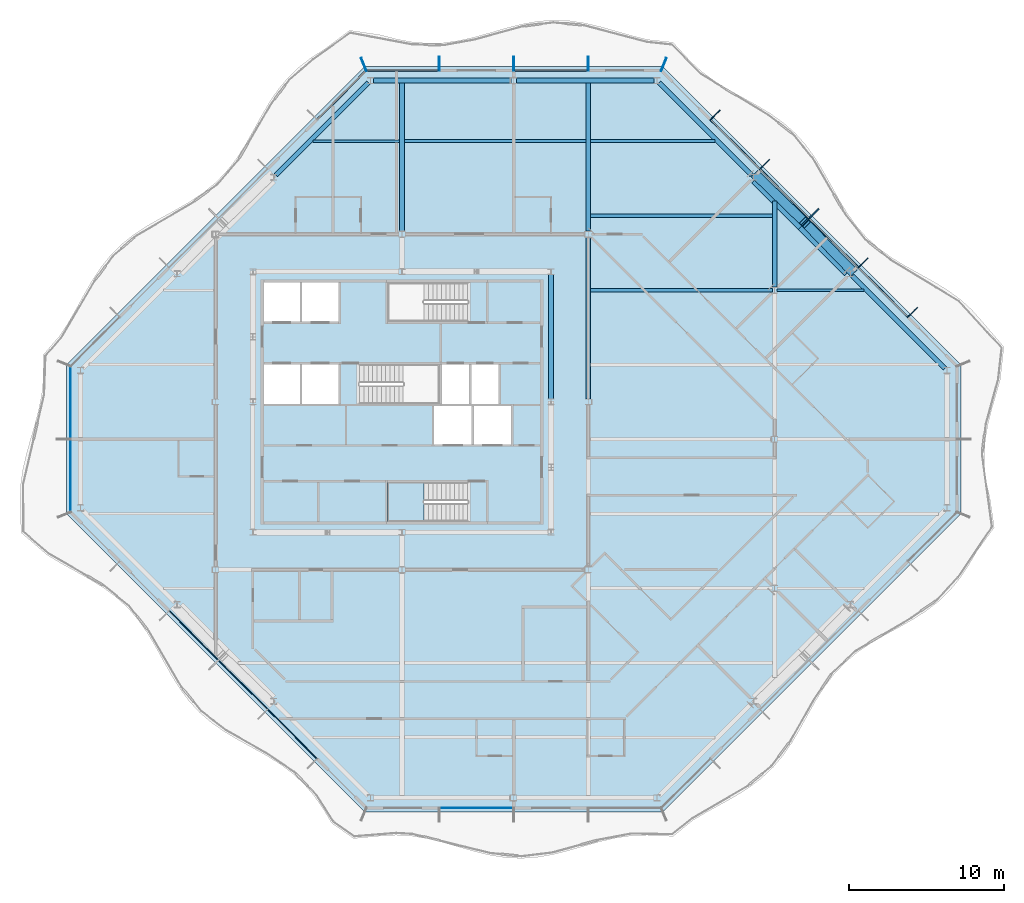
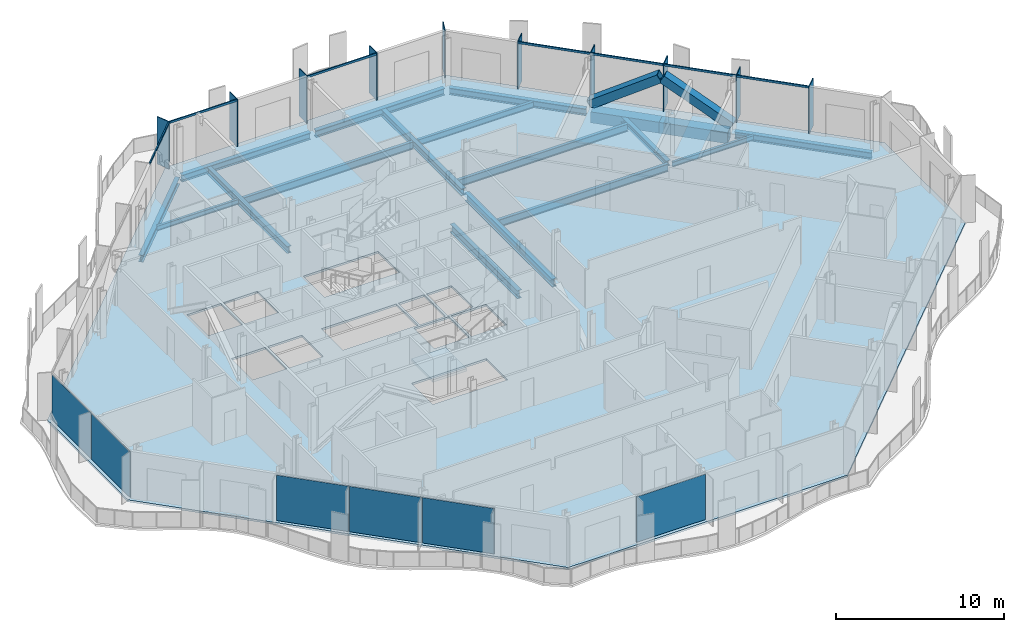
# One storey, part 5 of 17: 19 members, 18 beams, 6 plates, 2 slabs, 7 elements without a shape of their own.
"""IFC4 building model written with IfcOpenShell, lengths in metres."""

from ifc_helpers import new_model, si_unit, direction, frame, origin, origin_2d, place, context, subcontext, project, spatial, polyline, rectangle, hollow_rectangle, i_section, outline, extrude, material, layer, layer_set, material_profile, profile_set, type_object, element, aggregate, save


model = new_model("IFC4")

# Units and contexts
model_context = context("Model", 3, precision=1e-05, world=origin(), true_north=direction((0.0, 1.0)))
body_context = subcontext(model_context, "Body", "Model", "MODEL_VIEW")
ifc_project = project(units=[si_unit("LENGTHUNIT", "METRE"), si_unit("AREAUNIT", "SQUARE_METRE"), si_unit("VOLUMEUNIT", "CUBIC_METRE"), si_unit("PLANEANGLEUNIT", "RADIAN"), si_unit("MASSUNIT", "GRAM", prefix="KILO")], contexts=[model_context])

# Site, building, storey
site_placement = place(None, origin())
site = spatial("IfcSite", under=ifc_project, at=site_placement, CompositionType="ELEMENT")
building_placement = place(site_placement, origin())
building = spatial("IfcBuilding", under=site, at=building_placement, Name="Cairn Pilgrim Tower", CompositionType="ELEMENT")
storey_placement = place(building_placement, frame((0.0, 0.0, 239.39990234375)))
storey = spatial("IfcBuildingStorey", under=building, at=storey_placement, Name="L61", CompositionType="ELEMENT", Elevation=239.39990234375)

# Members
ifc_material_1 = material(Name="Structural steel S460M", Category="steel")
ifc_material_profile_1 = material_profile(ifc_material_1, hollow_rectangle(XDim=0.60009765625, YDim=0.60009765625, WallThickness=0.034912109375, at=origin_2d()), Name="BOX 600x600x35")
ifc_profile_set_1 = profile_set([ifc_material_profile_1], Name="Structural steel S460M")
member_type_1 = type_object("IfcMemberType", Name="BOX 600x600x35 BRACE", PredefinedType="BRACE", material=ifc_profile_set_1)
for number, where, z_axis, x_axis, name in (
    (1, (36.194580078125, 10.813232421875, 0.150146484375), (-0.59315674176, 0.611821665796, 0.523296597512), (-0.717973624454, -0.696070308653, 0.0), "XB-NE2-NE3-1"),
    (2, (30.01318359375, 16.99462890625, 0.150146484375), (0.611821665796, -0.59315674176, 0.523296597512), (0.696070308653, 0.717973624454, 0.0), "XB-NE2-NE3-2"),
):
    element("IfcMember", number, at=place(storey_placement, frame(where, z_axis=z_axis, x_axis=x_axis)), inside=storey, type_object=member_type_1, Name=name, PredefinedType="BRACE", context=body_context, shape_type="SweptSolid", body=[
        extrude(hollow_rectangle(XDim=0.60009765625, YDim=0.60009765625, WallThickness=0.034912109375, at=origin_2d()), origin(), (0.0, 0.0, 1.0), 5.035888671875),
    ])

# Beams
ifc_material_2 = material(Name="Structural steel S355J2", Category="steel")
ifc_material_profile_2 = material_profile(ifc_material_2, hollow_rectangle(XDim=0.699951171875, YDim=0.800048828125, WallThickness=0.0400390625, at=origin_2d()), Name="BOX 700x800x40")
ifc_profile_set_2 = profile_set([ifc_material_profile_2], Name="Structural steel S355J2")
beam_type_1 = type_object("IfcBeamType", Name="BOX 700x800x40 RING GIRDER", PredefinedType="SPANDREL", material=ifc_profile_set_2)
for number, where, z_axis, x_axis, name in (
    (3, (35.947265625, 10.780029296875, -0.5498046875), (-0.707106781187, 0.707106781187, 0.0), (-0.707106781187, -0.707106781187, 0.0), "RG3-NE2-NE3-1"),
    (4, (32.963623046875, 13.763671875, -0.5498046875), (-0.707106781187, 0.707106781187, 0.0), (-0.707106781187, -0.707106781187, 0.0), "RG3-NE2-NE3-2"),
):
    element("IfcBeam", number, at=place(storey_placement, frame(where, z_axis=z_axis, x_axis=x_axis)), inside=storey, type_object=beam_type_1, Name=name, PredefinedType="SPANDREL", context=body_context, shape_type="SweptSolid", body=[
        extrude(hollow_rectangle(XDim=0.699951171875, YDim=0.800048828125, WallThickness=0.0400390625, at=origin_2d()), origin(), (0.0, 0.0, 1.0), 4.219482421875),
    ])

# Curtain wall, members
ifc_material_3 = material(Name="Aluminium alloy 6063-T6 bronze anodised with Bronze tinted laminated low-E glass 8+16+8.8", Category="aluminium")
curtain_wall_type_1 = type_object("IfcCurtainWallType", Name="CHAMFER CORNER CURTAIN WALL", PredefinedType="NOTDEFINED", material=ifc_material_3)
curtain_wall_1_placement = place(storey_placement, origin())
curtain_wall_1 = element("IfcCurtainWall", 5, at=curtain_wall_1_placement, inside=storey, type_object=curtain_wall_type_1, Name="Chamfer Corner Curtain Wall NE", PredefinedType="NOTDEFINED")
ifc_material_4 = material(Name="Aluminium alloy 6063-T6 bronze anodised", Category="aluminium")
ifc_material_profile_3 = material_profile(ifc_material_4, rectangle(XDim=0.89990234375, YDim=0.06005859375, at=origin_2d()), Name="FIN MULLION 60x900 BRONZE")
ifc_profile_set_3 = profile_set([ifc_material_profile_3], Name="Aluminium alloy 6063-T6 bronze anodised")
member_type_2 = type_object("IfcMemberType", Name="FIN MULLION 60x900 BRONZE", PredefinedType="MULLION", material=ifc_profile_set_3)
member_1_placement = place(storey_placement, frame((40.0712890625, 8.1689453125, 0.0), z_axis=(0.0, 0.0, 1.0), x_axis=(0.707106781187, 0.707106781187, 0.0)))
member_1 = element("IfcMember", 6, at=member_1_placement, type_object=member_type_2, Name="Fin mullion NE2", PredefinedType="MULLION", context=body_context, shape_type="SweptSolid", body=[
    extrude(rectangle(XDim=0.89990234375, YDim=0.06005859375, at=origin_2d()), origin(), (0.0, 0.0, 1.0), 3.4501953125),
])
member_2_placement = place(storey_placement, frame((36.895751953125, 11.3447265625, 0.0), z_axis=(0.0, 0.0, 1.0), x_axis=(0.707106781187, 0.707106781187, 0.0)))
member_2 = element("IfcMember", 7, at=member_2_placement, type_object=member_type_2, Name="Fin mullion NE3", PredefinedType="MULLION", context=body_context, shape_type="SweptSolid", body=[
    extrude(rectangle(XDim=0.89990234375, YDim=0.06005859375, at=origin_2d()), origin(), (0.0, 0.0, 1.0), 3.4501953125),
])
member_3_placement = place(storey_placement, frame((33.72021484375, 14.520263671875, 0.0), z_axis=(0.0, 0.0, 1.0), x_axis=(0.707106781187, 0.707106781187, 0.0)))
member_3 = element("IfcMember", 8, at=member_3_placement, type_object=member_type_2, Name="Fin mullion NE4", PredefinedType="MULLION", context=body_context, shape_type="SweptSolid", body=[
    extrude(rectangle(XDim=0.89990234375, YDim=0.06005859375, at=origin_2d()), origin(), (0.0, 0.0, 1.0), 3.4501953125),
])
member_4_placement = place(storey_placement, frame((30.544677734375, 17.69580078125, 0.0), z_axis=(0.0, 0.0, 1.0), x_axis=(0.707106781187, 0.707106781187, 0.0)))
member_4 = element("IfcMember", 9, at=member_4_placement, type_object=member_type_2, Name="Fin mullion NE5", PredefinedType="MULLION", context=body_context, shape_type="SweptSolid", body=[
    extrude(rectangle(XDim=0.89990234375, YDim=0.06005859375, at=origin_2d()), origin(), (0.0, 0.0, 1.0), 3.4501953125),
])
member_5_placement = place(storey_placement, frame((27.369140625, 20.871337890625, 0.0), z_axis=(0.0, 0.0, 1.0), x_axis=(0.707106781187, 0.707106781187, 0.0)))
member_5 = element("IfcMember", 10, at=member_5_placement, type_object=member_type_2, Name="Fin mullion NE6", PredefinedType="MULLION", context=body_context, shape_type="SweptSolid", body=[
    extrude(rectangle(XDim=0.89990234375, YDim=0.06005859375, at=origin_2d()), origin(), (0.0, 0.0, 1.0), 3.4501953125),
])

curtain_wall_type_2 = type_object("IfcCurtainWallType", Name="TOWER STICK CURTAIN WALL NS", PredefinedType="NOTDEFINED", material=ifc_material_3)
curtain_wall_2_placement = place(storey_placement, origin())
curtain_wall_2 = element("IfcCurtainWall", 11, at=curtain_wall_2_placement, inside=storey, type_object=curtain_wall_type_2, Name="Tower Stick Curtain Wall Ns N", PredefinedType="NOTDEFINED")
member_6_placement = place(storey_placement, frame((24.05712890625, 24.137939453125, 0.0), z_axis=(0.0, 0.0, 1.0), x_axis=(0.382683432365, 0.923879532511, 0.0)))
member_6 = element("IfcMember", 12, at=member_6_placement, type_object=member_type_2, Name="Fin mullion N1", PredefinedType="MULLION", context=body_context, shape_type="SweptSolid", body=[
    extrude(rectangle(XDim=0.89990234375, YDim=0.06005859375, at=origin_2d()), origin(), (0.0, 0.0, 1.0), 3.4501953125),
])
member_7_placement = place(storey_placement, frame((19.199951171875, 24.169921875, 0.0), z_axis=(0.0, 0.0, 1.0), x_axis=(0.0, 1.0, 0.0)))
member_7 = element("IfcMember", 13, at=member_7_placement, type_object=member_type_2, Name="Fin mullion N2", PredefinedType="MULLION", context=body_context, shape_type="SweptSolid", body=[
    extrude(rectangle(XDim=0.89990234375, YDim=0.06005859375, at=origin_2d()), origin(), (0.0, 0.0, 1.0), 3.4501953125),
])
member_8_placement = place(storey_placement, frame((14.39990234375, 24.169921875, 0.0), z_axis=(0.0, 0.0, 1.0), x_axis=(0.0, 1.0, 0.0)))
member_8 = element("IfcMember", 14, at=member_8_placement, type_object=member_type_2, Name="Fin mullion N3", PredefinedType="MULLION", context=body_context, shape_type="SweptSolid", body=[
    extrude(rectangle(XDim=0.89990234375, YDim=0.06005859375, at=origin_2d()), origin(), (0.0, 0.0, 1.0), 3.4501953125),
])
member_9_placement = place(storey_placement, frame((9.60009765625, 24.169921875, 0.0), z_axis=(0.0, 0.0, 1.0), x_axis=(0.0, 1.0, 0.0)))
member_9 = element("IfcMember", 15, at=member_9_placement, type_object=member_type_2, Name="Fin mullion N4", PredefinedType="MULLION", context=body_context, shape_type="SweptSolid", body=[
    extrude(rectangle(XDim=0.89990234375, YDim=0.06005859375, at=origin_2d()), origin(), (0.0, 0.0, 1.0), 3.4501953125),
])

# Curtain wall, member
curtain_wall_3_placement = place(storey_placement, origin())
curtain_wall_3 = element("IfcCurtainWall", 16, at=curtain_wall_3_placement, inside=storey, type_object=curtain_wall_type_1, Name="Chamfer Corner Curtain Wall NW", PredefinedType="NOTDEFINED")
member_10_placement = place(storey_placement, frame((4.742919921875, 24.137939453125, 0.0), z_axis=(0.0, 0.0, 1.0), x_axis=(-0.382683432365, 0.923879532511, 0.0)))
member_10 = element("IfcMember", 17, at=member_10_placement, type_object=member_type_2, Name="Fin mullion NW1", PredefinedType="MULLION", context=body_context, shape_type="SweptSolid", body=[
    extrude(rectangle(XDim=0.89990234375, YDim=0.06005859375, at=origin_2d()), origin(), (0.0, 0.0, 1.0), 3.4501953125),
])

# Beams
ifc_material_profile_4 = material_profile(ifc_material_2, i_section(OverallWidth=0.300048828125, OverallDepth=0.39990234375, WebThickness=0.013427734375, FlangeThickness=0.02392578125, FilletRadius=0.027099609375, at=origin_2d()), Name="HEB 400")
ifc_profile_set_4 = profile_set([ifc_material_profile_4], Name="Structural steel S355J2")
beam_type_2 = type_object("IfcBeamType", Name="HEB 400 GIRDER", PredefinedType="BEAM", material=ifc_profile_set_4)
beam_1_placement = place(storey_placement, frame((31.199951171875, 9.799560546875, -0.349853515625), z_axis=(0.0, 1.0, 0.0), x_axis=(-1.0, 0.0, 0.0)))
element("IfcBeam", 18, at=beam_1_placement, inside=storey, type_object=beam_type_2, Name="PG5-4", PredefinedType="BEAM", context=body_context, shape_type="SweptSolid", body=[
    extrude(i_section(OverallWidth=0.300048828125, OverallDepth=0.39990234375, WebThickness=0.013427734375, FlangeThickness=0.02392578125, FilletRadius=0.027099609375, at=origin_2d()), origin(), (0.0, 0.0, 1.0), 5.545654296875),
])
ifc_material_profile_5 = material_profile(ifc_material_2, i_section(OverallWidth=0.300048828125, OverallDepth=0.5, WebThickness=0.014404296875, FlangeThickness=0.028076171875, FilletRadius=0.027099609375, at=origin_2d()), Name="HEB 500")
ifc_profile_set_5 = profile_set([ifc_material_profile_5], Name="Structural steel S355J2")
beam_type_3 = type_object("IfcBeamType", Name="HEB 500 GIRDER", PredefinedType="BEAM", material=ifc_profile_set_5)
for number, where, z_axis, x_axis, name in (
    (19, (7.199951171875, 13.39697265625, -0.39990234375), (0.0, 1.0, 0.0), (-1.0, 0.0, 0.0), "PG3-2"),
    (20, (19.199951171875, 13.39697265625, -0.39990234375), (0.0, 1.0, 0.0), (-1.0, 0.0, 0.0), "PG4-4"),
):
    element("IfcBeam", number, at=place(storey_placement, frame(where, z_axis=z_axis, x_axis=x_axis)), inside=storey, type_object=beam_type_3, Name=name, PredefinedType="BEAM", context=body_context, shape_type="SweptSolid", body=[
        extrude(i_section(OverallWidth=0.300048828125, OverallDepth=0.5, WebThickness=0.014404296875, FlangeThickness=0.028076171875, FilletRadius=0.027099609375, at=origin_2d()), origin(), (0.0, 0.0, 1.0), 9.5830078125),
    ])
ifc_material_profile_6 = material_profile(ifc_material_2, i_section(OverallWidth=0.300048828125, OverallDepth=0.5, WebThickness=0.014404296875, FlangeThickness=0.028076171875, FilletRadius=0.027099609375, at=origin_2d()), Name="HEB 500")
ifc_profile_set_6 = profile_set([ifc_material_profile_6], Name="Structural steel S355J2")
beam_type_4 = type_object("IfcBeamType", Name="HEB 500 RING GIRDER", PredefinedType="SPANDREL", material=ifc_profile_set_6)
for number, where, z_axis, x_axis, name in (
    (21, (42.17138671875, 4.555908203125, -0.39990234375), (-0.707106781187, 0.707106781187, 0.0), (-0.707106781187, -0.707106781187, 0.0), "RG3-NE1-NE2"),
    (22, (29.722900390625, 17.00439453125, -0.39990234375), (-0.707106781187, 0.707106781187, 0.0), (-0.707106781187, -0.707106781187, 0.0), "RG3-NE3-N1"),
):
    element("IfcBeam", number, at=place(storey_placement, frame(where, z_axis=z_axis, x_axis=x_axis)), inside=storey, type_object=beam_type_4, Name=name, PredefinedType="SPANDREL", context=body_context, shape_type="SweptSolid", body=[
        extrude(i_section(OverallWidth=0.300048828125, OverallDepth=0.5, WebThickness=0.014404296875, FlangeThickness=0.028076171875, FilletRadius=0.027099609375, at=origin_2d()), origin(), (0.0, 0.0, 1.0), 8.438720703125),
    ])
beam_2_placement = place(storey_placement, frame((23.4453125, 23.10009765625, -0.39990234375), z_axis=(-1.0, 0.0, 0.0), x_axis=(0.0, -1.0, 0.0)))
element("IfcBeam", 23, at=beam_2_placement, inside=storey, type_object=beam_type_4, Name="RG3-N1-N2", PredefinedType="SPANDREL", context=body_context, shape_type="SweptSolid", body=[
    extrude(i_section(OverallWidth=0.300048828125, OverallDepth=0.5, WebThickness=0.014404296875, FlangeThickness=0.028076171875, FilletRadius=0.027099609375, at=origin_2d()), origin(), (0.0, 0.0, 1.0), 8.863525390625),
])
beam_3_placement = place(storey_placement, frame((14.21826171875, 23.10009765625, -0.39990234375), z_axis=(-1.0, 0.0, 0.0), x_axis=(0.0, -1.0, 0.0)))
element("IfcBeam", 24, at=beam_3_placement, inside=storey, type_object=beam_type_4, Name="RG3-N2-NW1", PredefinedType="SPANDREL", context=body_context, shape_type="SweptSolid", body=[
    extrude(i_section(OverallWidth=0.300048828125, OverallDepth=0.5, WebThickness=0.014404296875, FlangeThickness=0.028076171875, FilletRadius=0.027099609375, at=origin_2d()), origin(), (0.0, 0.0, 1.0), 8.86376953125),
])
beam_4_placement = place(storey_placement, frame((5.044189453125, 22.971435546875, -0.39990234375), z_axis=(-0.707106781187, -0.707106781187, 0.0), x_axis=(0.707106781187, -0.707106781187, 0.0)))
element("IfcBeam", 25, at=beam_4_placement, inside=storey, type_object=beam_type_4, Name="RG3-NW1-NW2", PredefinedType="SPANDREL", context=body_context, shape_type="SweptSolid", body=[
    extrude(i_section(OverallWidth=0.300048828125, OverallDepth=0.5, WebThickness=0.014404296875, FlangeThickness=0.028076171875, FilletRadius=0.027099609375, at=origin_2d()), origin(), (0.0, 0.0, 1.0), 8.438720703125),
])
ifc_material_profile_7 = material_profile(ifc_material_2, i_section(OverallWidth=0.300048828125, OverallDepth=0.60009765625, WebThickness=0.015380859375, FlangeThickness=0.030029296875, FilletRadius=0.027099609375, at=origin_2d()), Name="HEB 600")
ifc_profile_set_7 = profile_set([ifc_material_profile_7], Name="Structural steel S355J2")
beam_type_5 = type_object("IfcBeamType", Name="HEB 600 CORE BEAM", PredefinedType="BEAM", material=ifc_profile_set_7)
beam_5_placement = place(storey_placement, frame((16.800048828125, 2.5791015625, -0.449951171875), z_axis=(0.0, 1.0, 0.0), x_axis=(-1.0, 0.0, 0.0)))
element("IfcBeam", 26, at=beam_5_placement, inside=storey, type_object=beam_type_5, Name="CB-4", PredefinedType="BEAM", context=body_context, shape_type="SweptSolid", body=[
    extrude(i_section(OverallWidth=0.300048828125, OverallDepth=0.60009765625, WebThickness=0.015380859375, FlangeThickness=0.030029296875, FilletRadius=0.027099609375, at=origin_2d()), origin(), (0.0, 0.0, 1.0), 8.041748046875),
])
ifc_material_profile_8 = material_profile(ifc_material_2, i_section(OverallWidth=0.300048828125, OverallDepth=0.60009765625, WebThickness=0.015380859375, FlangeThickness=0.030029296875, FilletRadius=0.027099609375, at=origin_2d()), Name="HEB 600")
ifc_profile_set_8 = profile_set([ifc_material_profile_8], Name="Structural steel S355J2")
beam_type_6 = type_object("IfcBeamType", Name="HEB 600 GIRDER", PredefinedType="BEAM", material=ifc_profile_set_8)
beam_6_placement = place(storey_placement, frame((19.199951171875, 2.596923828125, -0.449951171875), z_axis=(0.0, 1.0, 0.0), x_axis=(-1.0, 0.0, 0.0)))
element("IfcBeam", 27, at=beam_6_placement, inside=storey, type_object=beam_type_6, Name="PG4-3", PredefinedType="BEAM", context=body_context, shape_type="SweptSolid", body=[
    extrude(i_section(OverallWidth=0.300048828125, OverallDepth=0.60009765625, WebThickness=0.015380859375, FlangeThickness=0.030029296875, FilletRadius=0.027099609375, at=origin_2d()), origin(), (0.0, 0.0, 1.0), 10.406005859375),
])
ifc_material_profile_9 = material_profile(ifc_material_2, i_section(OverallWidth=0.169921875, OverallDepth=0.360107421875, WebThickness=0.008056640625, FlangeThickness=0.0126953125, FilletRadius=0.01806640625, at=origin_2d()), Name="IPE 360")
ifc_profile_set_9 = profile_set([ifc_material_profile_9], Name="Structural steel S355J2")
beam_type_7 = type_object("IfcBeamType", Name="IPE 360 SECONDARY BEAM", PredefinedType="JOIST", material=ifc_profile_set_9)
beam_7_placement = place(storey_placement, frame((31.35009765625, 9.60009765625, -0.329833984375), z_axis=(1.0, 0.0, 0.0), x_axis=(0.0, 1.0, 0.0)))
element("IfcBeam", 28, at=beam_7_placement, inside=storey, type_object=beam_type_7, Name="SB7-3", PredefinedType="JOIST", context=body_context, shape_type="SweptSolid", body=[
    extrude(i_section(OverallWidth=0.169921875, OverallDepth=0.360107421875, WebThickness=0.008056640625, FlangeThickness=0.0126953125, FilletRadius=0.01806640625, at=origin_2d()), origin(), (0.0, 0.0, 1.0), 5.594970703125),
])
beam_8_placement = place(storey_placement, frame((1.454833984375, 19.199951171875, -0.329833984375), z_axis=(1.0, 0.0, 0.0), x_axis=(0.0, 1.0, 0.0)))
element("IfcBeam", 29, at=beam_8_placement, inside=storey, type_object=beam_type_7, Name="SB9-1", PredefinedType="JOIST", context=body_context, shape_type="SweptSolid", body=[
    extrude(i_section(OverallWidth=0.169921875, OverallDepth=0.360107421875, WebThickness=0.008056640625, FlangeThickness=0.0126953125, FilletRadius=0.01806640625, at=origin_2d()), origin(), (0.0, 0.0, 1.0), 5.59521484375),
])
ifc_material_profile_10 = material_profile(ifc_material_2, i_section(OverallWidth=0.18994140625, OverallDepth=0.449951171875, WebThickness=0.009521484375, FlangeThickness=0.0146484375, FilletRadius=0.02099609375, at=origin_2d()), Name="IPE 450")
ifc_profile_set_10 = profile_set([ifc_material_profile_10], Name="Structural steel S355J2")
beam_type_8 = type_object("IfcBeamType", Name="IPE 450 SECONDARY BEAM", PredefinedType="JOIST", material=ifc_profile_set_10)
beam_9_placement = place(storey_placement, frame((19.35009765625, 19.199951171875, -0.375), z_axis=(1.0, 0.0, 0.0), x_axis=(0.0, 1.0, 0.0)))
element("IfcBeam", 30, at=beam_9_placement, inside=storey, type_object=beam_type_8, Name="SB9-3", PredefinedType="JOIST", context=body_context, shape_type="SweptSolid", body=[
    extrude(i_section(OverallWidth=0.18994140625, OverallDepth=0.449951171875, WebThickness=0.009521484375, FlangeThickness=0.0146484375, FilletRadius=0.02099609375, at=origin_2d()), origin(), (0.0, 0.0, 1.0), 7.9951171875),
])
ifc_material_profile_11 = material_profile(ifc_material_2, i_section(OverallWidth=0.2099609375, OverallDepth=0.550048828125, WebThickness=0.010986328125, FlangeThickness=0.01708984375, FilletRadius=0.02392578125, at=origin_2d()), Name="IPE 550")
ifc_profile_set_11 = profile_set([ifc_material_profile_11], Name="Structural steel S355J2")
beam_type_9 = type_object("IfcBeamType", Name="IPE 550 SECONDARY BEAM", PredefinedType="JOIST", material=ifc_profile_set_11)
for number, where, z_axis, x_axis, name in (
    (31, (19.35009765625, 9.60009765625, -0.4248046875), (1.0, 0.0, 0.0), (0.0, 1.0, 0.0), "SB7-2"),
    (32, (19.35009765625, 14.39990234375, -0.4248046875), (1.0, 0.0, 0.0), (0.0, 1.0, 0.0), "SB8-1"),
    (33, (7.35009765625, 19.199951171875, -0.4248046875), (1.0, 0.0, 0.0), (0.0, 1.0, 0.0), "SB9-2"),
):
    element("IfcBeam", number, at=place(storey_placement, frame(where, z_axis=z_axis, x_axis=x_axis)), inside=storey, type_object=beam_type_9, Name=name, PredefinedType="JOIST", context=body_context, shape_type="SweptSolid", body=[
        extrude(i_section(OverallWidth=0.2099609375, OverallDepth=0.550048828125, WebThickness=0.010986328125, FlangeThickness=0.01708984375, FilletRadius=0.02392578125, at=origin_2d()), origin(), (0.0, 0.0, 1.0), 11.699951171875),
    ])

# Member
ifc_material_profile_12 = material_profile(ifc_material_4, rectangle(XDim=0.080078125, YDim=0.14990234375, at=origin_2d()), Name="TRANSOM 80x150 BRONZE")
ifc_profile_set_12 = profile_set([ifc_material_profile_12], Name="Aluminium alloy 6063-T6 bronze anodised")
member_type_3 = type_object("IfcMemberType", Name="TRANSOM 80x150 BRONZE", PredefinedType="USERDEFINED", material=ifc_profile_set_12)
member_11_placement = place(storey_placement, frame((39.753173828125, 7.893310546875, 3.375), z_axis=(-0.707106781187, 0.707106781187, 0.0), x_axis=(-0.707106781187, -0.707106781187, 0.0)))
member_11 = element("IfcMember", 34, at=member_11_placement, type_object=member_type_3, Name="Transom NE2", ObjectType="TRANSOM", PredefinedType="USERDEFINED", context=body_context, shape_type="SweptSolid", body=[
    extrude(rectangle(XDim=0.080078125, YDim=0.14990234375, at=origin_2d()), origin(), (0.0, 0.0, 1.0), 4.430908203125),
])

member_12_placement = place(storey_placement, frame((36.57763671875, 11.06884765625, 3.375), z_axis=(-0.707134329907, 0.707079231393, 0.0), x_axis=(-0.707079231393, -0.707134329907, 0.0)))
member_12 = element("IfcMember", 35, at=member_12_placement, type_object=member_type_3, Name="Transom NE3", ObjectType="TRANSOM", PredefinedType="USERDEFINED", context=body_context, shape_type="SweptSolid", body=[
    extrude(rectangle(XDim=0.080078125, YDim=0.14990234375, at=origin_2d()), origin(), (0.0, 0.0, 1.0), 4.430908203125),
])

member_13_placement = place(storey_placement, frame((33.402099609375, 14.244384765625, 3.375), z_axis=(-0.707106781187, 0.707106781187, 0.0), x_axis=(-0.707106781187, -0.707106781187, 0.0)))
member_13 = element("IfcMember", 36, at=member_13_placement, type_object=member_type_3, Name="Transom NE4", ObjectType="TRANSOM", PredefinedType="USERDEFINED", context=body_context, shape_type="SweptSolid", body=[
    extrude(rectangle(XDim=0.080078125, YDim=0.14990234375, at=origin_2d()), origin(), (0.0, 0.0, 1.0), 4.43115234375),
])

member_14_placement = place(storey_placement, frame((30.226318359375, 17.419921875, 3.375), z_axis=(-0.707079231393, 0.707134329907, 0.0), x_axis=(-0.707134329907, -0.707079231393, 0.0)))
member_14 = element("IfcMember", 37, at=member_14_placement, type_object=member_type_3, Name="Transom NE5", ObjectType="TRANSOM", PredefinedType="USERDEFINED", context=body_context, shape_type="SweptSolid", body=[
    extrude(rectangle(XDim=0.080078125, YDim=0.14990234375, at=origin_2d()), origin(), (0.0, 0.0, 1.0), 4.430908203125),
])

aggregate(curtain_wall_1, [member_1, member_2, member_3, member_4, member_5, member_11, member_12, member_13, member_14])

member_15_placement = place(storey_placement, frame((19.169921875, 23.75, 3.375), z_axis=(-1.0, 0.0, 0.0), x_axis=(0.0, -1.0, 0.0)))
member_15 = element("IfcMember", 38, at=member_15_placement, type_object=member_type_3, Name="Transom N2", ObjectType="TRANSOM", PredefinedType="USERDEFINED", context=body_context, shape_type="SweptSolid", body=[
    extrude(rectangle(XDim=0.080078125, YDim=0.14990234375, at=origin_2d()), origin(), (0.0, 0.0, 1.0), 4.739990234375),
])

member_16_placement = place(storey_placement, frame((9.570068359375, 23.75, 3.375), z_axis=(-1.0, 0.0, 0.0), x_axis=(0.0, -1.0, 0.0)))
member_16 = element("IfcMember", 39, at=member_16_placement, type_object=member_type_3, Name="Transom N4", ObjectType="TRANSOM", PredefinedType="USERDEFINED", context=body_context, shape_type="SweptSolid", body=[
    extrude(rectangle(XDim=0.080078125, YDim=0.14990234375, at=origin_2d()), origin(), (0.0, 0.0, 1.0), 4.62646484375),
])

aggregate(curtain_wall_2, [member_6, member_7, member_8, member_9, member_15, member_16])

member_17_placement = place(storey_placement, frame((4.875244140625, 23.7216796875, 3.375), z_axis=(-0.707106781187, -0.707106781187, 0.0), x_axis=(0.707106781187, -0.707106781187, 0.0)))
member_17 = element("IfcMember", 40, at=member_17_placement, type_object=member_type_3, Name="Transom NW1", ObjectType="TRANSOM", PredefinedType="USERDEFINED", context=body_context, shape_type="SweptSolid", body=[
    extrude(rectangle(XDim=0.080078125, YDim=0.14990234375, at=origin_2d()), origin(), (0.0, 0.0, 1.0), 4.4208984375),
])

aggregate(curtain_wall_3, [member_10, member_17])

# Slab
ifc_material_5 = material(Name="Concrete C35/45", Category="concrete")
ifc_layer_1 = layer(ifc_material_5, 0.14990234375)
ifc_layer_set_1 = layer_set([ifc_layer_1], Name="COMPOSITE FLOOR SLAB 150")
slab_type_1 = type_object("IfcSlabType", Name="COMPOSITE FLOOR SLAB 150", PredefinedType="FLOOR", material=ifc_layer_set_1)
slab_1_placement = place(storey_placement, frame((0.0, 0.0, -0.14990234375)))
element("IfcSlab", 41, at=slab_1_placement, inside=storey, type_object=slab_type_1, Name="FLOOR SLAB L61", PredefinedType="FLOOR", context=body_context, shape_type="SweptSolid", body=[
    extrude(outline(polyline([(4.800048828125, -24.0), (24.0, -24.0), (43.199951171875, -4.800048828125), (43.199951171875, 4.800048828125), (24.0, 24.0), (4.800048828125, 24.0), (-14.39990234375, 4.800048828125), (-14.39990234375, -4.800048828125), (4.800048828125, -24.0)]), holes=[polyline([(9.27490234375, -0.324951171875), (11.675048828125, -0.324951171875), (11.675048828125, 2.125), (9.27490234375, 2.125), (9.27490234375, -0.324951171875)]), polyline([(11.824951171875, -0.324951171875), (14.22509765625, -0.324951171875), (14.22509765625, 2.125), (11.824951171875, 2.125), (11.824951171875, -0.324951171875)]), polyline([(-1.72509765625, 2.27490234375), (0.625, 2.27490234375), (0.625, 4.824951171875), (-1.72509765625, 4.824951171875), (-1.72509765625, 2.27490234375)]), polyline([(0.77490234375, 2.27490234375), (3.125, 2.27490234375), (3.125, 4.824951171875), (0.77490234375, 4.824951171875), (0.77490234375, 2.27490234375)]), polyline([(-1.72509765625, 7.574951171875), (0.625, 7.574951171875), (0.625, 10.10009765625), (-1.72509765625, 10.10009765625), (-1.72509765625, 7.574951171875)]), polyline([(0.77490234375, 7.574951171875), (3.125, 7.574951171875), (3.125, 10.10009765625), (0.77490234375, 10.10009765625), (0.77490234375, 7.574951171875)]), polyline([(9.77490234375, 2.27490234375), (11.52490234375, 2.27490234375), (11.52490234375, 4.824951171875), (9.77490234375, 4.824951171875), (9.77490234375, 2.27490234375)]), polyline([(11.675048828125, 2.27490234375), (13.425048828125, 2.27490234375), (13.425048828125, 4.824951171875), (11.675048828125, 4.824951171875), (11.675048828125, 2.27490234375)]), polyline([(11.424560546875, -2.77490234375), (6.27490234375, -2.77490234375), (6.27490234375, -5.300048828125), (11.424560546875, -5.300048828125), (11.424560546875, -2.77490234375)]), polyline([(4.4755859375, 2.27490234375), (9.625, 2.27490234375), (9.625, 4.824951171875), (4.4755859375, 4.824951171875), (4.4755859375, 2.27490234375)]), polyline([(11.424560546875, 10.10009765625), (6.27490234375, 10.10009765625), (6.27490234375, 7.574951171875), (11.424560546875, 7.574951171875), (11.424560546875, 10.10009765625)])]), origin(), (0.0, 0.0, 1.0), 0.14990234375),
])

# Curtain wall, plates
curtain_wall_4_placement = place(storey_placement, origin())
curtain_wall_4 = element("IfcCurtainWall", 42, at=curtain_wall_4_placement, inside=storey, type_object=curtain_wall_type_1, Name="Chamfer Corner Curtain Wall SW", PredefinedType="NOTDEFINED")
ifc_material_6 = material(Name="Bronze anodised aluminium spandrel panel with mineral wool insulation", Category="aluminium")
ifc_layer_2 = layer(ifc_material_6, 0.06005859375)
ifc_layer_set_2 = layer_set([ifc_layer_2], Name="SPANDREL PANEL 4431x3300")
plate_type_1 = type_object("IfcPlateType", Name="SPANDREL PANEL 4431x3300", PredefinedType="CURTAIN_PANEL", material=ifc_layer_set_2)
plate_1_placement = place(storey_placement, frame((-6.2109375, -12.635498046875, 0.0), z_axis=(0.0, 0.0, 1.0), x_axis=(0.707106781187, -0.707106781187, 0.0)))
plate_1 = element("IfcPlate", 43, at=plate_1_placement, type_object=plate_type_1, Name="Spandrel Panel SW3-1", PredefinedType="CURTAIN_PANEL", context=body_context, shape_type="SweptSolid", body=[
    extrude(rectangle(XDim=4.430908203125, YDim=0.06005859375, at=origin_2d()), origin(), (0.0, 0.0, 1.0), 3.300048828125),
])
plate_2_placement = place(storey_placement, frame((-3.035400390625, -15.81103515625, 0.0), z_axis=(0.0, 0.0, 1.0), x_axis=(0.707106781187, -0.707106781187, 0.0)))
plate_2 = element("IfcPlate", 44, at=plate_2_placement, type_object=plate_type_1, Name="Spandrel Panel SW4-1", PredefinedType="CURTAIN_PANEL", context=body_context, shape_type="SweptSolid", body=[
    extrude(rectangle(XDim=4.430908203125, YDim=0.06005859375, at=origin_2d()), origin(), (0.0, 0.0, 1.0), 3.300048828125),
])
plate_3_placement = place(storey_placement, frame((0.14013671875, -18.986572265625, 0.0), z_axis=(0.0, 0.0, 1.0), x_axis=(0.707106781187, -0.707106781187, 0.0)))
plate_3 = element("IfcPlate", 45, at=plate_3_placement, type_object=plate_type_1, Name="Spandrel Panel SW5-1", PredefinedType="CURTAIN_PANEL", context=body_context, shape_type="SweptSolid", body=[
    extrude(rectangle(XDim=4.430908203125, YDim=0.06005859375, at=origin_2d()), origin(), (0.0, 0.0, 1.0), 3.300048828125),
])
aggregate(curtain_wall_4, [plate_1, plate_2, plate_3])

# Stair, slab
ifc_material_7 = material(Name="Concrete C32/40", Category="concrete")
stair_type = type_object("IfcStairType", Name="EXIT STAIR 1200", PredefinedType="HALF_TURN_STAIR", material=ifc_material_7)
stair_placement = place(storey_placement, origin())
stair = element("IfcStair", 46, at=stair_placement, inside=storey, type_object=stair_type, Name="L61 Exit Stair A", PredefinedType="HALF_TURN_STAIR")
ifc_layer_3 = layer(ifc_material_7, 0.199951171875)
ifc_layer_set_3 = layer_set([ifc_layer_3], Name="STAIR LANDING 200")
slab_type_2 = type_object("IfcSlabType", Name="STAIR LANDING 200", PredefinedType="LANDING", material=ifc_layer_set_3)
slab_2_placement = place(storey_placement, frame((0.0, 0.0, 1.60009765625)))
slab_2 = element("IfcSlab", 47, at=slab_2_placement, type_object=slab_type_2, Name="ST-A landing 1", PredefinedType="LANDING", context=body_context, shape_type="SweptSolid", body=[
    extrude(outline(polyline([(8.625, -2.77490234375), (6.27490234375, -2.77490234375), (6.27490234375, -5.300048828125), (8.625, -5.300048828125), (8.625, -2.77490234375)])), origin(), (0.0, 0.0, 1.0), 0.199951171875),
])
aggregate(stair, [slab_2])

# Curtain wall, plates
curtain_wall_type_3 = type_object("IfcCurtainWallType", Name="TOWER STICK CURTAIN WALL EW", PredefinedType="NOTDEFINED", material=ifc_material_3)
curtain_wall_5_placement = place(storey_placement, origin())
curtain_wall_5 = element("IfcCurtainWall", 48, at=curtain_wall_5_placement, inside=storey, type_object=curtain_wall_type_3, Name="Tower Stick Curtain Wall Ew W", PredefinedType="NOTDEFINED")
ifc_material_8 = material(Name="Bronze tinted laminated low-E glass 8+16+8.8", Category="glass")
ifc_layer_4 = layer(ifc_material_8, 0.033935546875)
ifc_layer_set_4 = layer_set([ifc_layer_4], Name="VISION GLAZING 4626x3300")
plate_type_2 = type_object("IfcPlateType", Name="VISION GLAZING 4626x3300", PredefinedType="CURTAIN_PANEL", material=ifc_layer_set_4)
plate_4_placement = place(storey_placement, frame((-14.14990234375, 2.34326171875, 0.0), z_axis=(0.0, 0.0, 1.0), x_axis=(0.0, -1.0, 0.0)))
plate_4 = element("IfcPlate", 49, at=plate_4_placement, type_object=plate_type_2, Name="Vision Glazing W1-1", PredefinedType="CURTAIN_PANEL", context=body_context, shape_type="SweptSolid", body=[
    extrude(rectangle(XDim=4.62646484375, YDim=0.033935546875, at=origin_2d()), origin(), (0.0, 0.0, 1.0), 3.300048828125),
])
plate_5_placement = place(storey_placement, frame((-14.14990234375, -2.34326171875, 0.0), z_axis=(0.0, 0.0, 1.0), x_axis=(0.0, -1.0, 0.0)))
plate_5 = element("IfcPlate", 50, at=plate_5_placement, type_object=plate_type_2, Name="Vision Glazing W2-1", PredefinedType="CURTAIN_PANEL", context=body_context, shape_type="SweptSolid", body=[
    extrude(rectangle(XDim=4.62646484375, YDim=0.033935546875, at=origin_2d()), origin(), (0.0, 0.0, 1.0), 3.300048828125),
])
aggregate(curtain_wall_5, [plate_4, plate_5])

# Curtain wall, plate
curtain_wall_6_placement = place(storey_placement, origin())
curtain_wall_6 = element("IfcCurtainWall", 51, at=curtain_wall_6_placement, inside=storey, type_object=curtain_wall_type_2, Name="Tower Stick Curtain Wall Ns S", PredefinedType="NOTDEFINED")
ifc_layer_5 = layer(ifc_material_8, 0.033935546875)
ifc_layer_set_5 = layer_set([ifc_layer_5], Name="VISION GLAZING 4740x3300")
plate_type_3 = type_object("IfcPlateType", Name="VISION GLAZING 4740x3300", PredefinedType="CURTAIN_PANEL", material=ifc_layer_set_5)
plate_6_placement = place(storey_placement, frame((12.0, -23.75, 0.0), z_axis=(0.0, 0.0, 1.0), x_axis=(1.0, 0.0, 0.0)))
plate_6 = element("IfcPlate", 52, at=plate_6_placement, type_object=plate_type_3, Name="Vision Glazing S2-1", PredefinedType="CURTAIN_PANEL", context=body_context, shape_type="SweptSolid", body=[
    extrude(rectangle(XDim=4.739990234375, YDim=0.033935546875, at=origin_2d()), origin(), (0.0, 0.0, 1.0), 3.300048828125),
])
aggregate(curtain_wall_6, [plate_6])

save(model, "model.ifc")
